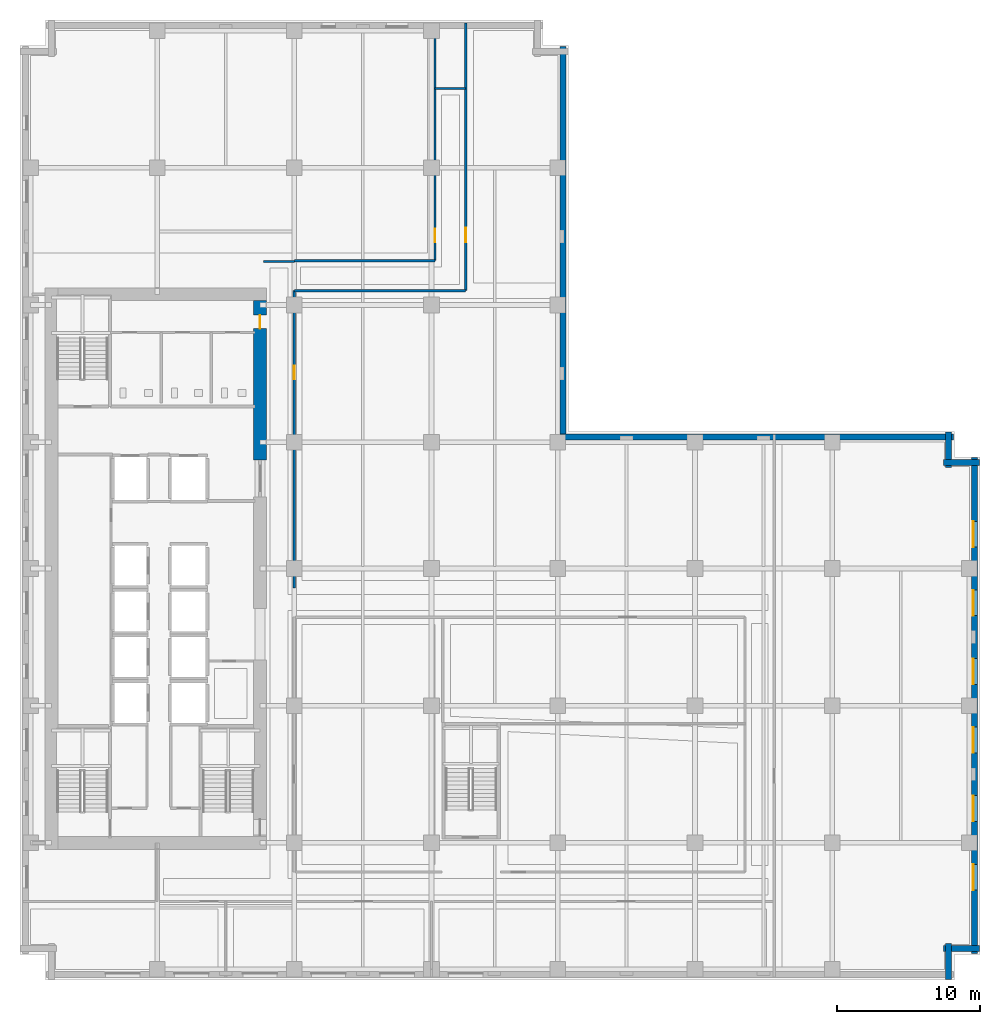
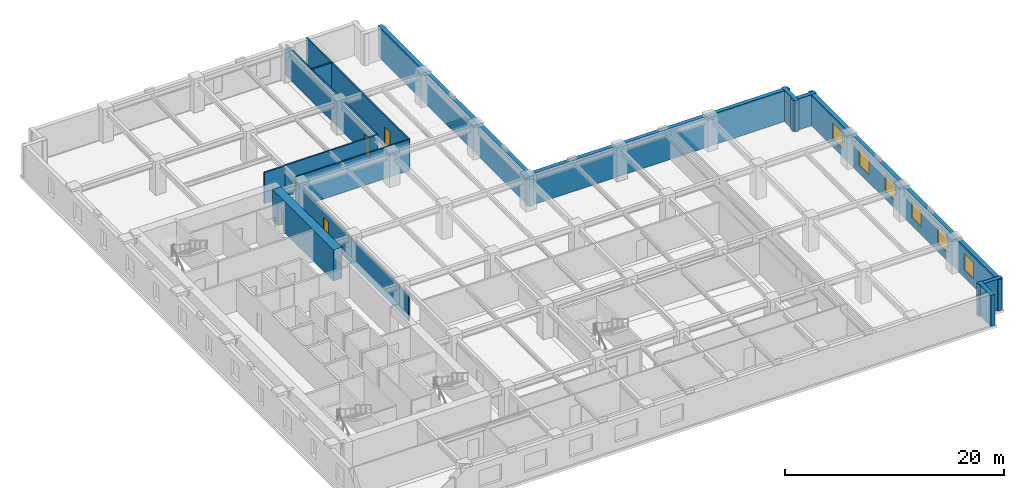
# One storey, part 7 of 15: 15 walls, 6 windows, 4 doors, 10 openings.
"""IFC4 building model written with IfcOpenShell, lengths in metres."""

from ifc_helpers import new_model, si_unit, direction, frame, frame_2d, origin, place, context, subcontext, project, spatial, rectangle, extrude, material, layer, layer_set, type_object, element, fill, save


model = new_model("IFC4")

# Units and contexts
model_context = context("Model", 3, precision=1e-05, world=origin(), true_north=direction((0.0, 1.0)))
body_context = subcontext(model_context, "Body", "Model", "MODEL_VIEW")
ifc_project = project(units=[si_unit("LENGTHUNIT", "METRE"), si_unit("AREAUNIT", "SQUARE_METRE"), si_unit("VOLUMEUNIT", "CUBIC_METRE"), si_unit("PLANEANGLEUNIT", "RADIAN"), si_unit("MASSUNIT", "GRAM", prefix="KILO")], contexts=[model_context])

# Site, building, storey
site_placement = place(None, origin())
site = spatial("IfcSite", under=ifc_project, at=site_placement, CompositionType="ELEMENT")
building_placement = place(site_placement, origin())
building = spatial("IfcBuilding", under=site, at=building_placement, Name="Norrvale University Quadrangle", CompositionType="ELEMENT")
storey_placement = place(building_placement, frame((0.0, 0.0, 92.60009765625)))
storey = spatial("IfcBuildingStorey", under=building, at=storey_placement, Name="L23", CompositionType="ELEMENT", Elevation=92.60009765625)

# Walls
ifc_material_1 = material(Name="Buff Norman Clay Brick Masonry", Category="masonry")
ifc_layer_1 = layer(ifc_material_1, 0.419921875, Name="Buff Norman Clay Brick Masonry")
ifc_layer_set_1 = layer_set([ifc_layer_1], Name="Buff Norman Clay Brick Masonry")
wall_type_1 = type_object("IfcWallType", Name="Wall Buff Brick 420", PredefinedType="SOLIDWALL", material=ifc_layer_set_1)
for number, where, z_axis, x_axis, name in (
    (1, (65.010009765625, 0.0400390625, 0.0), (0.0, 0.0, 1.0), (0.0, 1.0, 0.0), "Exterior Brick Facade Wall L23-02.1"),
    (2, (64.659912109375, 2.18994140625, 0.0), (0.0, 0.0, 1.0), (1.0, 0.0, 0.0), "Exterior Brick Facade Wall L23-03.1"),
):
    element("IfcWall", number, at=place(storey_placement, frame(where, z_axis=z_axis, x_axis=x_axis)), inside=storey, type_object=wall_type_1, Name=name, PredefinedType="SOLIDWALL", context=body_context, shape_type="SweptSolid", body=[
        extrude(rectangle(XDim=2.5, YDim=0.419921875, at=frame_2d((1.25, 0.0))), origin(), (0.0, 0.0, 1.0), 3.47998046875),
    ])

# Wall, openings, windows
wall_1_placement = place(storey_placement, frame((66.81005859375, 1.840087890625, 0.0), z_axis=(0.0, 0.0, 1.0), x_axis=(0.0, 1.0, 0.0)))
wall_1 = element("IfcWall", 3, at=wall_1_placement, inside=storey, type_object=wall_type_1, Name="Exterior Brick Facade Wall L23-04.1", PredefinedType="SOLIDWALL", context=body_context, shape_type="SweptSolid", body=[
    extrude(rectangle(XDim=34.719970703125, YDim=0.419921875, at=frame_2d((17.35986328125, 0.0))), origin(), (0.0, 0.0, 1.0), 3.47998046875),
])
opening_1_placement = place(wall_1_placement, frame((4.4599609375, 0.0, 0.85009765625)))
opening_1 = element("IfcOpeningElement", 4, at=opening_1_placement, cuts=wall_1, Name="Opening W01", PredefinedType="OPENING", context=body_context, shape_type="SweptSolid", body=[
    extrude(rectangle(XDim=1.800048828125, YDim=1.85009765625, at=frame_2d((0.89990234375, 0.925048828125))), frame((0.0, 0.221923828125, 0.0), z_axis=(0.0, -1.0, 0.0), x_axis=(1.0, 0.0, 0.0)), (0.0, 0.0, 1.0), 0.44384765625),
])
opening_2_placement = place(wall_1_placement, frame((9.260009765625, 0.0, 0.85009765625)))
opening_2 = element("IfcOpeningElement", 5, at=opening_2_placement, cuts=wall_1, Name="Opening W01", PredefinedType="OPENING", context=body_context, shape_type="SweptSolid", body=[
    extrude(rectangle(XDim=1.800048828125, YDim=1.85009765625, at=frame_2d((0.89990234375, 0.925048828125))), frame((0.0, 0.221923828125, 0.0), z_axis=(0.0, -1.0, 0.0), x_axis=(1.0, 0.0, 0.0)), (0.0, 0.0, 1.0), 0.44384765625),
])
opening_3_placement = place(wall_1_placement, frame((14.06005859375, 0.0, 0.85009765625)))
opening_3 = element("IfcOpeningElement", 6, at=opening_3_placement, cuts=wall_1, Name="Opening W01", PredefinedType="OPENING", context=body_context, shape_type="SweptSolid", body=[
    extrude(rectangle(XDim=1.800048828125, YDim=1.85009765625, at=frame_2d((0.89990234375, 0.925048828125))), frame((0.0, 0.221923828125, 0.0), z_axis=(0.0, -1.0, 0.0), x_axis=(1.0, 0.0, 0.0)), (0.0, 0.0, 1.0), 0.44384765625),
])
opening_4_placement = place(wall_1_placement, frame((18.860107421875, 0.0, 0.85009765625)))
opening_4 = element("IfcOpeningElement", 7, at=opening_4_placement, cuts=wall_1, Name="Opening W01", PredefinedType="OPENING", context=body_context, shape_type="SweptSolid", body=[
    extrude(rectangle(XDim=1.800048828125, YDim=1.85009765625, at=frame_2d((0.89990234375, 0.925048828125))), frame((0.0, 0.221923828125, 0.0), z_axis=(0.0, -1.0, 0.0), x_axis=(1.0, 0.0, 0.0)), (0.0, 0.0, 1.0), 0.44384765625),
])
opening_5_placement = place(wall_1_placement, frame((23.659912109375, 0.0, 0.85009765625)))
opening_5 = element("IfcOpeningElement", 8, at=opening_5_placement, cuts=wall_1, Name="Opening W01", PredefinedType="OPENING", context=body_context, shape_type="SweptSolid", body=[
    extrude(rectangle(XDim=1.800048828125, YDim=1.85009765625, at=frame_2d((0.89990234375, 0.925048828125))), frame((0.0, 0.221923828125, 0.0), z_axis=(0.0, -1.0, 0.0), x_axis=(1.0, 0.0, 0.0)), (0.0, 0.0, 1.0), 0.44384765625),
])
opening_6_placement = place(wall_1_placement, frame((28.4599609375, 0.0, 0.85009765625)))
opening_6 = element("IfcOpeningElement", 9, at=opening_6_placement, cuts=wall_1, Name="Opening W01", PredefinedType="OPENING", context=body_context, shape_type="SweptSolid", body=[
    extrude(rectangle(XDim=1.800048828125, YDim=1.85009765625, at=frame_2d((0.89990234375, 0.925048828125))), frame((0.0, 0.221923828125, 0.0), z_axis=(0.0, -1.0, 0.0), x_axis=(1.0, 0.0, 0.0)), (0.0, 0.0, 1.0), 0.44384765625),
])
ifc_material_2 = material(Name="Triple Low-E Argon Glazing", Category="glass")
window_type = type_object("IfcWindowType", Name="Window Academic 1800x2300", PartitioningType="DOUBLE_PANEL_VERTICAL", PredefinedType="WINDOW", material=ifc_material_2)
window_1_placement = place(opening_1_placement, origin())
window_1 = element("IfcWindow", 10, at=window_1_placement, inside=storey, type_object=window_type, Name="Window Academic 1800x2300 WIN-L23-E04-1-01", OverallHeight=1.85009765625, OverallWidth=1.800048828125, PartitioningType="DOUBLE_PANEL_VERTICAL", PredefinedType="WINDOW", context=body_context, shape_type="SweptSolid", body=[
    extrude(rectangle(XDim=1.800048828125, YDim=1.85009765625, at=frame_2d((0.89990234375, 0.925048828125))), frame((0.0, 0.110107421875, 0.0), z_axis=(0.0, -1.0, 0.0), x_axis=(1.0, 0.0, 0.0)), (0.0, 0.0, 1.0), 0.06005859375),
])
fill(opening_1, window_1)
window_2_placement = place(opening_2_placement, origin())
window_2 = element("IfcWindow", 11, at=window_2_placement, inside=storey, type_object=window_type, Name="Window Academic 1800x2300 WIN-L23-E04-1-02", OverallHeight=1.85009765625, OverallWidth=1.800048828125, PartitioningType="DOUBLE_PANEL_VERTICAL", PredefinedType="WINDOW", context=body_context, shape_type="SweptSolid", body=[
    extrude(rectangle(XDim=1.800048828125, YDim=1.85009765625, at=frame_2d((0.89990234375, 0.925048828125))), frame((0.0, 0.110107421875, 0.0), z_axis=(0.0, -1.0, 0.0), x_axis=(1.0, 0.0, 0.0)), (0.0, 0.0, 1.0), 0.06005859375),
])
fill(opening_2, window_2)
window_3_placement = place(opening_3_placement, origin())
window_3 = element("IfcWindow", 12, at=window_3_placement, inside=storey, type_object=window_type, Name="Window Academic 1800x2300 WIN-L23-E04-1-03", OverallHeight=1.85009765625, OverallWidth=1.800048828125, PartitioningType="DOUBLE_PANEL_VERTICAL", PredefinedType="WINDOW", context=body_context, shape_type="SweptSolid", body=[
    extrude(rectangle(XDim=1.800048828125, YDim=1.85009765625, at=frame_2d((0.89990234375, 0.925048828125))), frame((0.0, 0.110107421875, 0.0), z_axis=(0.0, -1.0, 0.0), x_axis=(1.0, 0.0, 0.0)), (0.0, 0.0, 1.0), 0.06005859375),
])
fill(opening_3, window_3)
window_4_placement = place(opening_4_placement, origin())
window_4 = element("IfcWindow", 13, at=window_4_placement, inside=storey, type_object=window_type, Name="Window Academic 1800x2300 WIN-L23-E04-1-04", OverallHeight=1.85009765625, OverallWidth=1.800048828125, PartitioningType="DOUBLE_PANEL_VERTICAL", PredefinedType="WINDOW", context=body_context, shape_type="SweptSolid", body=[
    extrude(rectangle(XDim=1.800048828125, YDim=1.85009765625, at=frame_2d((0.89990234375, 0.925048828125))), frame((0.0, 0.110107421875, 0.0), z_axis=(0.0, -1.0, 0.0), x_axis=(1.0, 0.0, 0.0)), (0.0, 0.0, 1.0), 0.06005859375),
])
fill(opening_4, window_4)
window_5_placement = place(opening_5_placement, origin())
window_5 = element("IfcWindow", 14, at=window_5_placement, inside=storey, type_object=window_type, Name="Window Academic 1800x2300 WIN-L23-E04-1-05", OverallHeight=1.85009765625, OverallWidth=1.800048828125, PartitioningType="DOUBLE_PANEL_VERTICAL", PredefinedType="WINDOW", context=body_context, shape_type="SweptSolid", body=[
    extrude(rectangle(XDim=1.800048828125, YDim=1.85009765625, at=frame_2d((0.89990234375, 0.925048828125))), frame((0.0, 0.110107421875, 0.0), z_axis=(0.0, -1.0, 0.0), x_axis=(1.0, 0.0, 0.0)), (0.0, 0.0, 1.0), 0.06005859375),
])
fill(opening_5, window_5)
window_6_placement = place(opening_6_placement, origin())
window_6 = element("IfcWindow", 15, at=window_6_placement, inside=storey, type_object=window_type, Name="Window Academic 1800x2300 WIN-L23-E04-1-06", OverallHeight=1.85009765625, OverallWidth=1.800048828125, PartitioningType="DOUBLE_PANEL_VERTICAL", PredefinedType="WINDOW", context=body_context, shape_type="SweptSolid", body=[
    extrude(rectangle(XDim=1.800048828125, YDim=1.85009765625, at=frame_2d((0.89990234375, 0.925048828125))), frame((0.0, 0.110107421875, 0.0), z_axis=(0.0, -1.0, 0.0), x_axis=(1.0, 0.0, 0.0)), (0.0, 0.0, 1.0), 0.06005859375),
])
fill(opening_6, window_6)

# Walls
for number, where, z_axis, x_axis, name in (
    (16, (67.159912109375, 36.2099609375, 0.0), (0.0, 0.0, 1.0), (-1.0, 0.0, 0.0), "Exterior Brick Facade Wall L23-05.1"),
    (17, (65.010009765625, 35.860107421875, 0.0), (0.0, 0.0, 1.0), (0.0, 1.0, 0.0), "Exterior Brick Facade Wall L23-06.1"),
):
    element("IfcWall", number, at=place(storey_placement, frame(where, z_axis=z_axis, x_axis=x_axis)), inside=storey, type_object=wall_type_1, Name=name, PredefinedType="SOLIDWALL", context=body_context, shape_type="SweptSolid", body=[
        extrude(rectangle(XDim=2.5, YDim=0.419921875, at=frame_2d((1.25, 0.0))), origin(), (0.0, 0.0, 1.0), 3.47998046875),
    ])
for number, where, z_axis, x_axis, name in (
    (18, (65.360107421875, 38.010009765625, 0.0), (0.0, 0.0, 1.0), (-1.0, 0.0, 0.0), "Exterior Brick Facade Wall L23-07.1"),
    (19, (38.010009765625, 37.659912109375, 0.0), (0.0, 0.0, 1.0), (0.0, 1.0, 0.0), "Exterior Brick Facade Wall L23-08.1"),
):
    element("IfcWall", number, at=place(storey_placement, frame(where, z_axis=z_axis, x_axis=x_axis)), inside=storey, type_object=wall_type_1, Name=name, PredefinedType="SOLIDWALL", context=body_context, shape_type="SweptSolid", body=[
        extrude(rectangle(XDim=27.7001953125, YDim=0.419921875, at=frame_2d((13.85009765625, 0.0))), origin(), (0.0, 0.0, 1.0), 3.47998046875),
    ])

# Wall, opening, door
ifc_material_3 = material(Name="Concrete C80/95", Category="concrete")
ifc_layer_2 = layer(ifc_material_3, 0.89990234375, Name="Concrete C80/95")
ifc_layer_set_2 = layer_set([ifc_layer_2], Name="Concrete C80/95")
wall_type_2 = type_object("IfcWallType", Name="Wall Core 900", PredefinedType="SHEAR", material=ifc_layer_set_2)
wall_2_placement = place(storey_placement, frame((16.800048828125, 36.39990234375, 0.0), z_axis=(0.0, 0.0, 1.0), x_axis=(0.0, 1.0, 0.0)))
wall_2 = element("IfcWall", 20, at=wall_2_placement, inside=storey, type_object=wall_type_2, Name="Tower Core Shear Wall L23-E3", PredefinedType="SHEAR", context=body_context, shape_type="SweptSolid", body=[
    extrude(rectangle(XDim=11.150146484375, YDim=0.89990234375, at=frame_2d((5.5751953125, 0.0))), origin(), (0.0, 0.0, 1.0), 3.47998046875),
])
opening_7_placement = place(wall_2_placement, frame((9.199951171875, 0.0, 0.0)))
opening_7 = element("IfcOpeningElement", 21, at=opening_7_placement, cuts=wall_2, Name="Opening D07", PredefinedType="OPENING", context=body_context, shape_type="SweptSolid", body=[
    extrude(rectangle(XDim=0.949951171875, YDim=2.14990234375, at=frame_2d((0.47509765625, 1.074951171875))), frame((0.0, 0.4619140625, 0.0), z_axis=(0.0, -1.0, 0.0), x_axis=(1.0, 0.0, 0.0)), (0.0, 0.0, 1.0), 0.923828125),
])
ifc_material_4 = material(Name="Solid-Core Maple Door", Category="wood")
door_type_1 = type_object("IfcDoorType", Name="Door Office 950x2150", OperationType="NOTDEFINED", PredefinedType="DOOR", material=ifc_material_4)
door_1_placement = place(opening_7_placement, origin())
door_1 = element("IfcDoor", 22, at=door_1_placement, inside=storey, type_object=door_type_1, Name="Door Office 950x2150 DR-L23-NECORR", OperationType="SINGLE_SWING_RIGHT", OverallHeight=2.14990234375, OverallWidth=0.949951171875, PredefinedType="DOOR", context=body_context, shape_type="SweptSolid", body=[
    extrude(rectangle(XDim=0.949951171875, YDim=2.14990234375, at=frame_2d((0.47509765625, 1.074951171875))), frame((0.0, 0.02490234375, 0.0), z_axis=(0.0, -1.0, 0.0), x_axis=(1.0, 0.0, 0.0)), (0.0, 0.0, 1.0), 0.050048828125),
])
fill(opening_7, door_1)

# Wall
ifc_material_5 = material(Name="Fire-Rated Gypsum Stud Partition")
ifc_layer_3 = layer(ifc_material_5, 0.14990234375, Name="Fire-Rated Gypsum Stud Partition")
ifc_layer_set_3 = layer_set([ifc_layer_3], Name="Fire-Rated Gypsum Stud Partition")
wall_type_3 = type_object("IfcWallType", Name="Wall Gypsum Corridor 150", PredefinedType="PARTITIONING", material=ifc_layer_set_3)
wall_3_placement = place(storey_placement, frame((17.050048828125, 50.300048828125, 0.0), z_axis=(0.0, 0.0, 1.0), x_axis=(1.0, 0.0, 0.0)))
element("IfcWall", 23, at=wall_3_placement, inside=storey, type_object=wall_type_3, Name="Interior Partition WL-L23-CN-END", PredefinedType="PARTITIONING", context=body_context, shape_type="SweptSolid", body=[
    extrude(rectangle(XDim=2.14990234375, YDim=0.14990234375, at=frame_2d((1.074951171875, 0.0))), origin(), (0.0, 0.0, 1.0), 3.47998046875),
])

# Wall, opening, door
wall_4_placement = place(storey_placement, frame((19.199951171875, 27.449951171875, 0.0), z_axis=(0.0, 0.0, 1.0), x_axis=(0.0, 1.0, 0.0)))
wall_4 = element("IfcWall", 24, at=wall_4_placement, inside=storey, type_object=wall_type_3, Name="Interior Partition WL-L23-MNECW", PredefinedType="PARTITIONING", context=body_context, shape_type="SweptSolid", body=[
    extrude(rectangle(XDim=20.800048828125, YDim=0.14990234375, at=frame_2d((10.39990234375, 0.0))), origin(), (0.0, 0.0, 1.0), 2.864013671875),
])
opening_8_placement = place(wall_4_placement, frame((14.60009765625, 0.0, 0.0)))
opening_8 = element("IfcOpeningElement", 25, at=opening_8_placement, cuts=wall_4, Name="Opening D07", PredefinedType="OPENING", context=body_context, shape_type="SweptSolid", body=[
    extrude(rectangle(XDim=0.949951171875, YDim=2.14990234375, at=frame_2d((0.47509765625, 1.074951171875))), frame((0.0, 0.0869140625, 0.0), z_axis=(0.0, -1.0, 0.0), x_axis=(1.0, 0.0, 0.0)), (0.0, 0.0, 1.0), 0.173828125),
])
door_2_placement = place(opening_8_placement, origin())
door_2 = element("IfcDoor", 26, at=door_2_placement, inside=storey, type_object=door_type_1, Name="Door Office 950x2150 DR-L23-MNE01", OperationType="SINGLE_SWING_RIGHT", OverallHeight=2.14990234375, OverallWidth=0.949951171875, PredefinedType="DOOR", context=body_context, shape_type="SweptSolid", body=[
    extrude(rectangle(XDim=0.949951171875, YDim=2.14990234375, at=frame_2d((0.47509765625, 1.074951171875))), frame((0.0, 0.02490234375, 0.0), z_axis=(0.0, -1.0, 0.0), x_axis=(1.0, 0.0, 0.0)), (0.0, 0.0, 1.0), 0.050048828125),
])
fill(opening_8, door_2)

# Walls
wall_5_placement = place(storey_placement, frame((19.199951171875, 48.25, 0.0), z_axis=(0.0, 0.0, 1.0), x_axis=(1.0, 0.0, 0.0)))
element("IfcWall", 27, at=wall_5_placement, inside=storey, type_object=wall_type_3, Name="Interior Partition WL-L23-JOGS", PredefinedType="PARTITIONING", context=body_context, shape_type="SweptSolid", body=[
    extrude(rectangle(XDim=12.0, YDim=0.14990234375, at=frame_2d((6.0, 0.0))), origin(), (0.0, 0.0, 1.0), 3.47998046875),
])
wall_6_placement = place(storey_placement, frame((19.199951171875, 50.35009765625, 0.0), z_axis=(0.0, 0.0, 1.0), x_axis=(1.0, 0.0, 0.0)))
element("IfcWall", 28, at=wall_6_placement, inside=storey, type_object=wall_type_3, Name="Interior Partition WL-L23-JOGN", PredefinedType="PARTITIONING", context=body_context, shape_type="SweptSolid", body=[
    extrude(rectangle(XDim=9.85009765625, YDim=0.14990234375, at=frame_2d((4.925048828125, 0.0))), origin(), (0.0, 0.0, 1.0), 3.47998046875),
])
wall_7_placement = place(storey_placement, frame((29.050048828125, 62.39990234375, 0.0), z_axis=(0.0, 0.0, 1.0), x_axis=(1.0, 0.0, 0.0)))
element("IfcWall", 29, at=wall_7_placement, inside=storey, type_object=wall_type_3, Name="Interior Partition WL-L23-JOGEND", PredefinedType="PARTITIONING", context=body_context, shape_type="SweptSolid", body=[
    extrude(rectangle(XDim=2.14990234375, YDim=0.14990234375, at=frame_2d((1.074951171875, 0.0))), origin(), (0.0, 0.0, 1.0), 3.47998046875),
])

# Wall, opening, door
wall_8_placement = place(storey_placement, frame((31.199951171875, 48.25, 0.0), z_axis=(0.0, 0.0, 1.0), x_axis=(0.0, 1.0, 0.0)))
wall_8 = element("IfcWall", 30, at=wall_8_placement, inside=storey, type_object=wall_type_3, Name="Interior Partition WL-L23-NECW", PredefinedType="PARTITIONING", context=body_context, shape_type="SweptSolid", body=[
    extrude(rectangle(XDim=18.72998046875, YDim=0.14990234375, at=frame_2d((9.364990234375, 0.0))), origin(), (0.0, 0.0, 1.0), 3.47998046875),
])
opening_9_placement = place(wall_8_placement, frame((3.39990234375, 0.0, 0.0)))
opening_9 = element("IfcOpeningElement", 31, at=opening_9_placement, cuts=wall_8, Name="Opening D04", PredefinedType="OPENING", context=body_context, shape_type="SweptSolid", body=[
    extrude(rectangle(XDim=1.0, YDim=2.199951171875, at=frame_2d((0.5, 1.10009765625))), frame((0.0, 0.0869140625, 0.0), z_axis=(0.0, -1.0, 0.0), x_axis=(1.0, 0.0, 0.0)), (0.0, 0.0, 1.0), 0.173828125),
])
ifc_material_6 = material(Name="Solid-Core Oak Fire Door", Category="wood")
door_type_2 = type_object("IfcDoorType", Name="Door Corridor 1000x2200", OperationType="NOTDEFINED", PredefinedType="DOOR", material=ifc_material_6)
door_3_placement = place(opening_9_placement, origin())
door_3 = element("IfcDoor", 32, at=door_3_placement, inside=storey, type_object=door_type_2, Name="Door Corridor 1000x2200 DR-L23-NE01", OperationType="SINGLE_SWING_RIGHT", OverallHeight=2.199951171875, OverallWidth=1.0, PredefinedType="DOOR", context=body_context, shape_type="SweptSolid", body=[
    extrude(rectangle(XDim=1.0, YDim=2.199951171875, at=frame_2d((0.5, 1.10009765625))), frame((0.0, 0.02490234375, 0.0), z_axis=(0.0, -1.0, 0.0), x_axis=(1.0, 0.0, 0.0)), (0.0, 0.0, 1.0), 0.050048828125),
])
fill(opening_9, door_3)

wall_9_placement = place(storey_placement, frame((29.050048828125, 50.35009765625, 0.0), z_axis=(0.0, 0.0, 1.0), x_axis=(0.0, 1.0, 0.0)))
wall_9 = element("IfcWall", 33, at=wall_9_placement, inside=storey, type_object=wall_type_3, Name="Interior Partition WL-L23-NWCW", PredefinedType="PARTITIONING", context=body_context, shape_type="SweptSolid", body=[
    extrude(rectangle(XDim=16.6298828125, YDim=0.14990234375, at=frame_2d((8.31494140625, 0.0))), origin(), (0.0, 0.0, 1.0), 3.47998046875),
])
opening_10_placement = place(wall_9_placement, frame((1.300048828125, 0.0, 0.0)))
opening_10 = element("IfcOpeningElement", 34, at=opening_10_placement, cuts=wall_9, Name="Opening D07", PredefinedType="OPENING", context=body_context, shape_type="SweptSolid", body=[
    extrude(rectangle(XDim=0.949951171875, YDim=2.14990234375, at=frame_2d((0.47509765625, 1.074951171875))), frame((0.0, 0.0869140625, 0.0), z_axis=(0.0, -1.0, 0.0), x_axis=(1.0, 0.0, 0.0)), (0.0, 0.0, 1.0), 0.173828125),
])
door_4_placement = place(opening_10_placement, origin())
door_4 = element("IfcDoor", 35, at=door_4_placement, inside=storey, type_object=door_type_1, Name="Door Office 950x2150 DR-L23-NW01", OperationType="SINGLE_SWING_RIGHT", OverallHeight=2.14990234375, OverallWidth=0.949951171875, PredefinedType="DOOR", context=body_context, shape_type="SweptSolid", body=[
    extrude(rectangle(XDim=0.949951171875, YDim=2.14990234375, at=frame_2d((0.47509765625, 1.074951171875))), frame((0.0, 0.02490234375, 0.0), z_axis=(0.0, -1.0, 0.0), x_axis=(1.0, 0.0, 0.0)), (0.0, 0.0, 1.0), 0.050048828125),
])
fill(opening_10, door_4)

save(model, "model.ifc")
